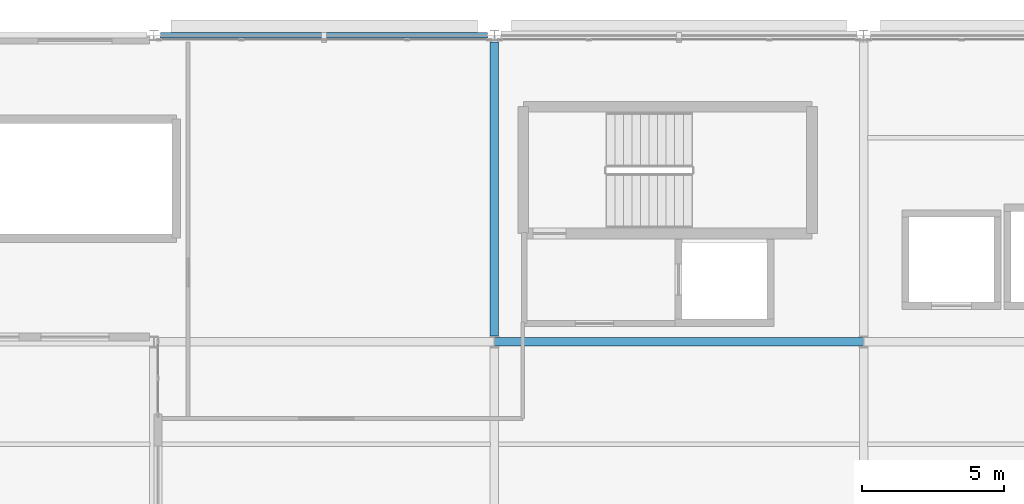
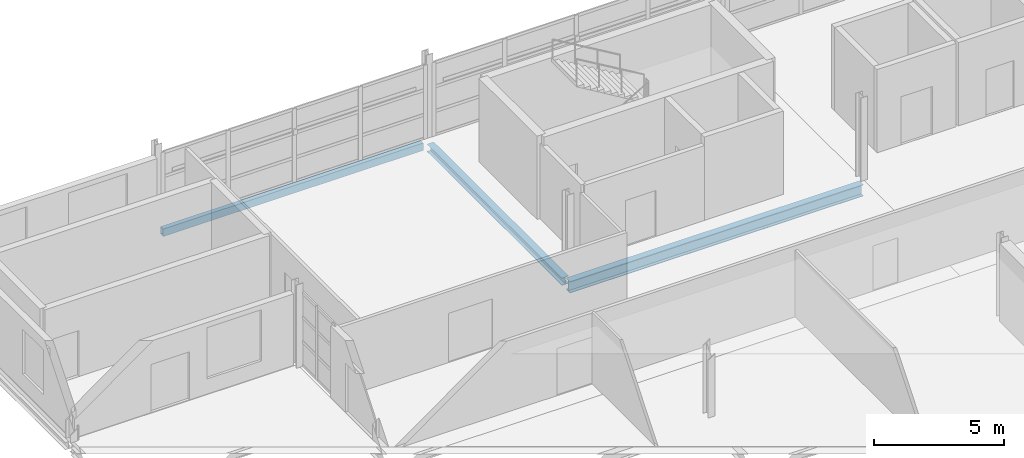
# One storey, part 18 of 33: 3 beams.
"""IFC4 building model written with IfcOpenShell, lengths in metres."""

from ifc_helpers import new_model, si_unit, direction, frame, origin, origin_2d, place, context, subcontext, project, spatial, hollow_rectangle, i_section, extrude, material, material_profile, profile_set, type_object, element, save


model = new_model("IFC4")

# Units and contexts
model_context = context("Model", 3, precision=1e-05, world=origin(), true_north=direction((0.0, 1.0)))
body_context = subcontext(model_context, "Body", "Model", "MODEL_VIEW")
ifc_project = project(units=[si_unit("LENGTHUNIT", "METRE"), si_unit("AREAUNIT", "SQUARE_METRE"), si_unit("VOLUMEUNIT", "CUBIC_METRE"), si_unit("PLANEANGLEUNIT", "RADIAN"), si_unit("MASSUNIT", "GRAM", prefix="KILO")], contexts=[model_context])

# Site, building, storey
site_placement = place(None, origin())
site = spatial("IfcSite", under=ifc_project, at=site_placement, CompositionType="ELEMENT")
building_placement = place(site_placement, origin())
building = spatial("IfcBuilding", under=site, at=building_placement, Name="Tamarisk Ironworks Central Station", CompositionType="ELEMENT")
storey_placement = place(building_placement, frame((0.0, 0.0, 21.300048828125)))
storey = spatial("IfcBuildingStorey", under=building, at=storey_placement, Name="L04", CompositionType="ELEMENT", Elevation=21.300048828125)

# Beams
ifc_material = material(Name="Structural steel S355J2", Category="steel")
ifc_material_profile_1 = material_profile(ifc_material, i_section(OverallWidth=0.300048828125, OverallDepth=0.5400390625, WebThickness=0.012451171875, FlangeThickness=0.02392578125, at=origin_2d()), Name="HEA 550")
ifc_profile_set_1 = profile_set([ifc_material_profile_1], Name="Structural steel S355J2")
beam_type_1 = type_object("IfcBeamType", Name="BM-G04", PredefinedType="BEAM", material=ifc_profile_set_1)
beam_1_placement = place(storey_placement, frame((140.00390625, 111.60009765625, -0.489990234375), z_axis=(1.0, 0.0, 0.0), x_axis=(0.0, 1.0, 0.0)))
element("IfcBeam", 1, at=beam_1_placement, inside=storey, type_object=beam_type_1, Name="L04 primary girder X-0722", PredefinedType="BEAM", context=body_context, shape_type="SweptSolid", body=[
    extrude(i_section(OverallWidth=0.300048828125, OverallDepth=0.5400390625, WebThickness=0.012451171875, FlangeThickness=0.02392578125, at=origin_2d()), origin(), (0.0, 0.0, 1.0), 12.9921875),
])
ifc_material_profile_2 = material_profile(ifc_material, i_section(OverallWidth=0.300048828125, OverallDepth=0.35009765625, WebThickness=0.010009765625, FlangeThickness=0.017578125, at=origin_2d()), Name="HEA 360")
ifc_profile_set_2 = profile_set([ifc_material_profile_2], Name="Structural steel S355J2")
beam_type_2 = type_object("IfcBeamType", Name="BM-G08", PredefinedType="BEAM", material=ifc_profile_set_2)
beam_2_placement = place(storey_placement, frame((140.0, 111.81298828125, -0.39501953125), z_axis=(0.0, 1.0, 0.0), x_axis=(-1.0, 0.0, 0.0)))
element("IfcBeam", 2, at=beam_2_placement, inside=storey, type_object=beam_type_2, Name="L04 primary girder Y-0739", PredefinedType="BEAM", context=body_context, shape_type="SweptSolid", body=[
    extrude(i_section(OverallWidth=0.300048828125, OverallDepth=0.35009765625, WebThickness=0.010009765625, FlangeThickness=0.017578125, at=origin_2d()), origin(), (0.0, 0.0, 1.0), 10.34912109375),
])
ifc_material_profile_3 = material_profile(ifc_material, hollow_rectangle(XDim=0.199951171875, YDim=0.35009765625, WallThickness=0.012451171875, at=origin_2d()), Name="RHS 350x200x12.5")
ifc_profile_set_3 = profile_set([ifc_material_profile_3], Name="Structural steel S355J2")
beam_type_3 = type_object("IfcBeamType", Name="BM-SP01", PredefinedType="SPANDREL", material=ifc_profile_set_3)
beam_3_placement = place(storey_placement, frame((128.238037109375, 122.39990234375, -0.39501953125), z_axis=(1.0, 0.0, 0.0), x_axis=(0.0, 1.0, 0.0)))
element("IfcBeam", 3, at=beam_3_placement, inside=storey, type_object=beam_type_3, Name="L04 primary girder X-0726", PredefinedType="SPANDREL", context=body_context, shape_type="SweptSolid", body=[
    extrude(hollow_rectangle(XDim=0.199951171875, YDim=0.35009765625, WallThickness=0.012451171875, at=origin_2d()), origin(), (0.0, 0.0, 1.0), 11.52392578125),
])

save(model, "model.ifc")
